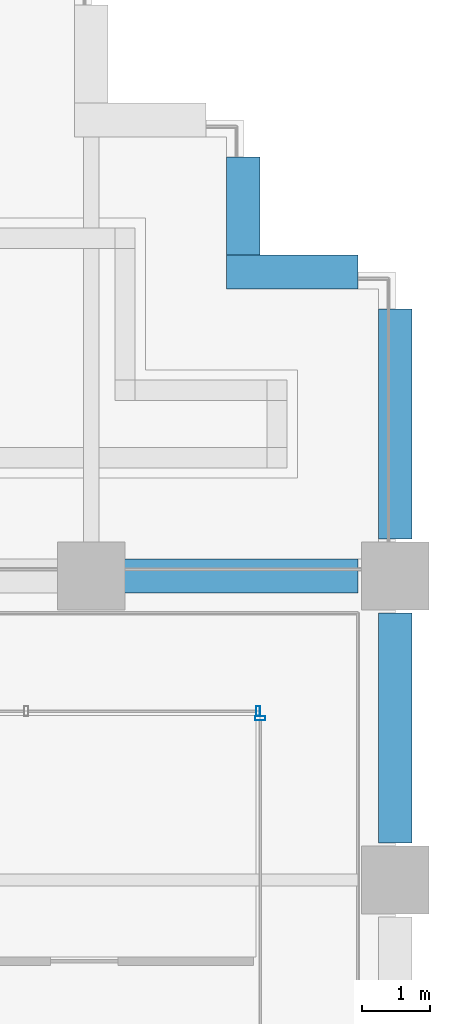
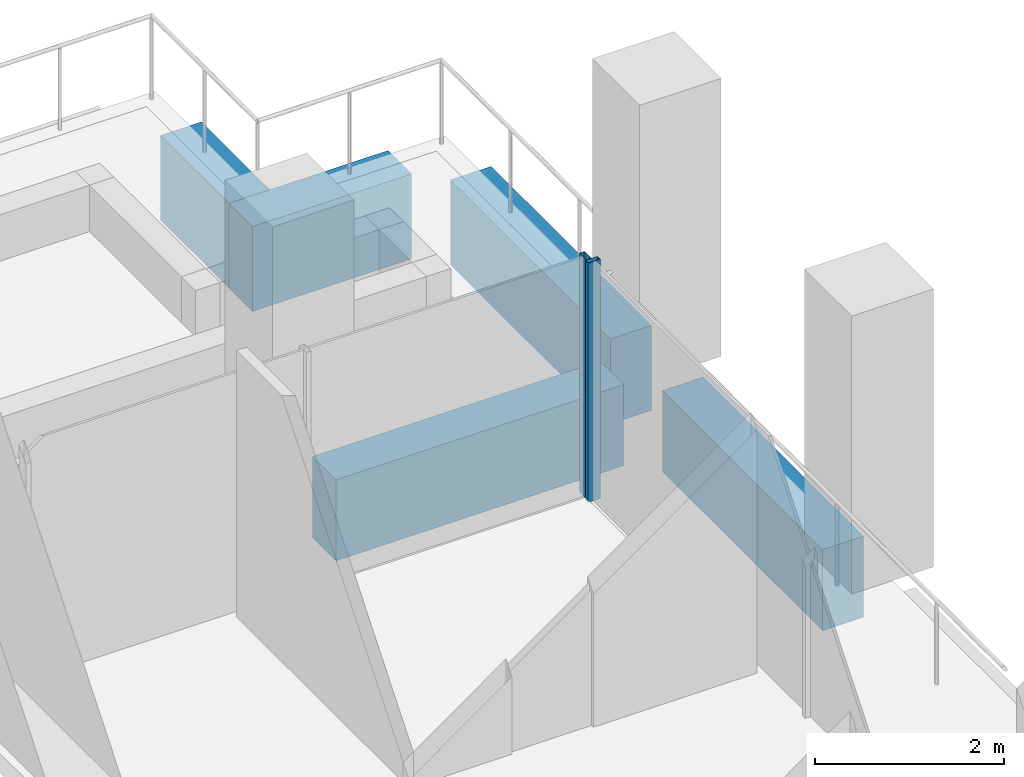
# One storey, part 42 of 52: 5 beams, 2 members, 2 elements without a shape of their own.
"""IFC4 building model written with IfcOpenShell, lengths in metres."""

from ifc_helpers import new_model, si_unit, direction, frame, origin, origin_2d, place, context, subcontext, project, spatial, rectangle, hollow_rectangle, extrude, material, material_profile, profile_set, type_object, element, aggregate, save


model = new_model("IFC4")

# Units and contexts
model_context = context("Model", 3, precision=1e-05, world=origin(), true_north=direction((0.0, 1.0)))
body_context = subcontext(model_context, "Body", "Model", "MODEL_VIEW")
ifc_project = project(units=[si_unit("LENGTHUNIT", "METRE"), si_unit("AREAUNIT", "SQUARE_METRE"), si_unit("VOLUMEUNIT", "CUBIC_METRE"), si_unit("PLANEANGLEUNIT", "RADIAN"), si_unit("MASSUNIT", "GRAM", prefix="KILO")], contexts=[model_context])

# Site, building, storey
site_placement = place(None, origin())
site = spatial("IfcSite", under=ifc_project, at=site_placement, CompositionType="ELEMENT")
building_placement = place(site_placement, origin())
building = spatial("IfcBuilding", under=site, at=building_placement, Name="Altepetl Exchange Towers", CompositionType="ELEMENT")
storey_placement = place(building_placement, frame((0.0, 0.0, 92.0)))
storey = spatial("IfcBuildingStorey", under=building, at=storey_placement, Name="L22", CompositionType="ELEMENT", Elevation=92.0)

# Curtain wall, member
ifc_material_1 = material(Name="Aluminium 6063-T6 glazing", Category="aluminium")
curtain_wall_type = type_object("IfcCurtainWallType", Name="Loggia glazing system", PredefinedType="NOTDEFINED", material=ifc_material_1)
curtain_wall_1_placement = place(storey_placement, origin())
curtain_wall_1 = element("IfcCurtainWall", 1, at=curtain_wall_1_placement, inside=storey, type_object=curtain_wall_type, Name="CW1 run", PredefinedType="NOTDEFINED")
ifc_material_2 = material(Name="Aluminium 6063-T6", Category="aluminium")
ifc_material_profile_1 = material_profile(ifc_material_2, hollow_rectangle(XDim=0.06005859375, YDim=0.14990234375, WallThickness=0.0029296875, at=origin_2d()), Name="Mullion 60x150 aluminium")
ifc_profile_set_1 = profile_set([ifc_material_profile_1], Name="Aluminium 6063-T6")
member_type = type_object("IfcMemberType", Name="Mullion 60x150 aluminium", PredefinedType="MULLION", material=ifc_profile_set_1)
member_1_placement = place(storey_placement, frame((124.0, 47.39501953125, 0.0), z_axis=(0.0, 0.0, 1.0), x_axis=(0.0, 1.0, 0.0)))
member_1 = element("IfcMember", 2, at=member_1_placement, type_object=member_type, Name="MU1 mullion", PredefinedType="MULLION", context=body_context, shape_type="SweptSolid", body=[
    extrude(hollow_rectangle(XDim=0.06005859375, YDim=0.14990234375, WallThickness=0.0029296875, at=origin_2d()), origin(), (0.0, 0.0, 1.0), 3.10009765625),
])
aggregate(curtain_wall_1, [member_1])

curtain_wall_2_placement = place(storey_placement, origin())
curtain_wall_2 = element("IfcCurtainWall", 3, at=curtain_wall_2_placement, inside=storey, type_object=curtain_wall_type, Name="CW1 run", PredefinedType="NOTDEFINED")
member_2_placement = place(storey_placement, frame((123.969970703125, 47.5, 0.0), z_axis=(0.0, 0.0, 1.0), x_axis=(-1.0, 0.0, 0.0)))
member_2 = element("IfcMember", 4, at=member_2_placement, type_object=member_type, Name="MU1 mullion", PredefinedType="MULLION", context=body_context, shape_type="SweptSolid", body=[
    extrude(hollow_rectangle(XDim=0.06005859375, YDim=0.14990234375, WallThickness=0.0029296875, at=origin_2d()), origin(), (0.0, 0.0, 1.0), 3.10009765625),
])
aggregate(curtain_wall_2, [member_2])

# Beams
ifc_material_3 = material(Name="Concrete C50/60 precast with cantera amarilla facing", Category="concrete")
ifc_material_profile_2 = material_profile(ifc_material_3, rectangle(XDim=0.5, YDim=1.050048828125, at=origin_2d()), Name="500 x 1050")
ifc_profile_set_2 = profile_set([ifc_material_profile_2], Name="Concrete C50/60 precast with cantera amarilla facing")
beam_type_1 = type_object("IfcBeamType", Name="Spandrel beam 500x1050 cantera amarilla", PredefinedType="SPANDREL", material=ifc_profile_set_2)
beam_1_placement = place(storey_placement, frame((125.449951171875, 49.5, -0.675048828125), z_axis=(-1.0, 0.0, 0.0), x_axis=(0.0, -1.0, 0.0)))
element("IfcBeam", 5, at=beam_1_placement, inside=storey, type_object=beam_type_1, Name="sp:B:L22:013", PredefinedType="SPANDREL", context=body_context, shape_type="SweptSolid", body=[
    extrude(rectangle(XDim=0.5, YDim=1.050048828125, at=origin_2d()), origin(), (0.0, 0.0, 1.0), 3.52490234375),
])
ifc_material_4 = material(Name="Concrete C50/60 precast with cantera blanca facing", Category="concrete")
ifc_material_profile_3 = material_profile(ifc_material_4, rectangle(XDim=0.5, YDim=1.050048828125, at=origin_2d()), Name="500 x 1050")
ifc_profile_set_3 = profile_set([ifc_material_profile_3], Name="Concrete C50/60 precast with cantera blanca facing")
beam_type_2 = type_object("IfcBeamType", Name="Spandrel beam 500x1050 cantera blanca", PredefinedType="SPANDREL", material=ifc_profile_set_3)
beam_2_placement = place(storey_placement, frame((126.0, 45.550048828125, -0.675048828125), z_axis=(0.0, 1.0, 0.0), x_axis=(-1.0, 0.0, 0.0)))
element("IfcBeam", 6, at=beam_2_placement, inside=storey, type_object=beam_type_2, Name="sp:B:L22:012", PredefinedType="SPANDREL", context=body_context, shape_type="SweptSolid", body=[
    extrude(rectangle(XDim=0.5, YDim=1.050048828125, at=origin_2d()), origin(), (0.0, 0.0, 1.0), 3.39990234375),
])
ifc_material_profile_4 = material_profile(ifc_material_3, rectangle(XDim=0.5, YDim=1.10009765625, at=origin_2d()), Name="500 x 1100")
ifc_profile_set_4 = profile_set([ifc_material_profile_4], Name="Concrete C50/60 precast with cantera amarilla facing")
beam_type_3 = type_object("IfcBeamType", Name="Spandrel beam 500x1100 cantera amarilla", PredefinedType="SPANDREL", material=ifc_profile_set_4)
beam_3_placement = place(storey_placement, frame((126.0, 50.050048828125, -0.699951171875), z_axis=(0.0, 1.0, 0.0), x_axis=(-1.0, 0.0, 0.0)))
element("IfcBeam", 7, at=beam_3_placement, inside=storey, type_object=beam_type_3, Name="sp:B:L22:t000", PredefinedType="SPANDREL", context=body_context, shape_type="SweptSolid", body=[
    extrude(rectangle(XDim=0.5, YDim=1.10009765625, at=origin_2d()), origin(), (0.0, 0.0, 1.0), 3.39990234375),
])
beam_4_placement = place(storey_placement, frame((125.449951171875, 54.0, -0.699951171875), z_axis=(-1.0, 0.0, 0.0), x_axis=(0.0, -1.0, 0.0)))
element("IfcBeam", 8, at=beam_4_placement, inside=storey, type_object=beam_type_3, Name="sp:B:L22:t001", PredefinedType="SPANDREL", context=body_context, shape_type="SweptSolid", body=[
    extrude(rectangle(XDim=0.5, YDim=1.10009765625, at=origin_2d()), origin(), (0.0, 0.0, 1.0), 1.949951171875),
])
beam_5_placement = place(storey_placement, frame((123.75, 54.25, -0.699951171875), z_axis=(0.0, 1.0, 0.0), x_axis=(-1.0, 0.0, 0.0)))
element("IfcBeam", 9, at=beam_5_placement, inside=storey, type_object=beam_type_3, Name="sp:B:L22:t002", PredefinedType="SPANDREL", context=body_context, shape_type="SweptSolid", body=[
    extrude(rectangle(XDim=0.5, YDim=1.10009765625, at=origin_2d()), origin(), (0.0, 0.0, 1.0), 1.449951171875),
])

save(model, "model.ifc")
